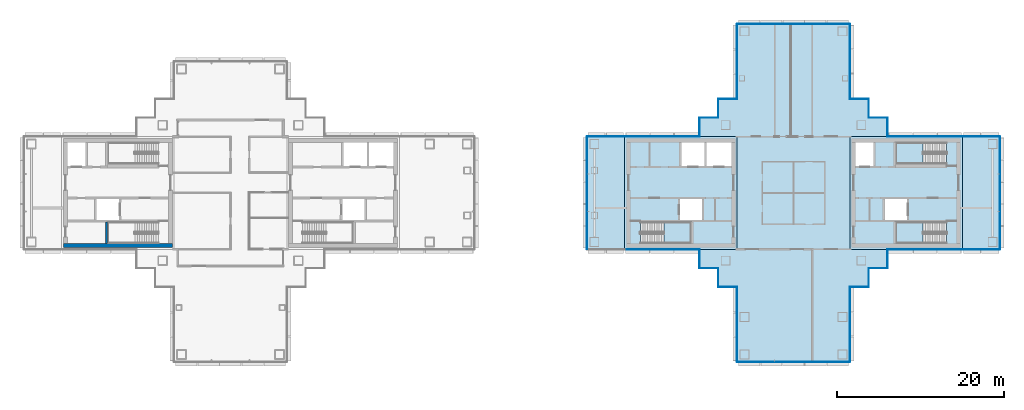
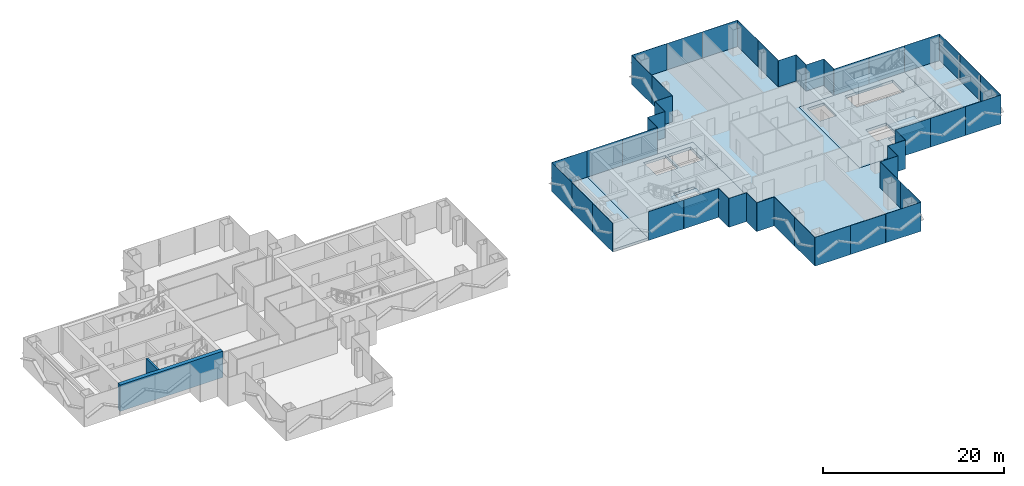
# One storey, part 8 of 16: 47 plates, 8 slabs, 2 walls, 22 elements without a shape of their own.
"""IFC4 building model written with IfcOpenShell, lengths in metres."""

from ifc_helpers import new_model, si_unit, direction, frame, frame_2d, origin, origin_2d, place, context, subcontext, project, spatial, polyline, rectangle, outline, extrude, material, layer, layer_set, type_object, element, aggregate, save


model = new_model("IFC4")

# Units and contexts
model_context = context("Model", 3, precision=1e-05, world=origin(), true_north=direction((0.0, 1.0)))
body_context = subcontext(model_context, "Body", "Model", "MODEL_VIEW")
ifc_project = project(units=[si_unit("LENGTHUNIT", "METRE"), si_unit("AREAUNIT", "SQUARE_METRE"), si_unit("VOLUMEUNIT", "CUBIC_METRE"), si_unit("PLANEANGLEUNIT", "RADIAN"), si_unit("MASSUNIT", "GRAM", prefix="KILO")], contexts=[model_context])

# Site, building, storey
site_placement = place(None, origin())
site = spatial("IfcSite", under=ifc_project, at=site_placement, CompositionType="ELEMENT")
building_placement = place(site_placement, origin())
building = spatial("IfcBuilding", under=site, at=building_placement, Name="Shamsa Quay Exchange Towers", CompositionType="ELEMENT")
storey_placement = place(building_placement, frame((0.0, 0.0, 146.699951171875)))
storey = spatial("IfcBuildingStorey", under=building, at=storey_placement, Name="L34", CompositionType="ELEMENT", Elevation=146.699951171875)

# Slabs
ifc_material_1 = material(Name="Concrete C50/60", Category="concrete")
ifc_layer_1 = layer(ifc_material_1, 0.35009765625)
ifc_layer_set_1 = layer_set([ifc_layer_1], Name="CORE FLOOR 350 C50/60")
slab_type_1 = type_object("IfcSlabType", Name="CORE FLOOR 350 C50/60", PredefinedType="FLOOR", material=ifc_layer_set_1)
slab_1_placement = place(storey_placement, frame((0.0, 0.0, -0.349853515625)))
element("IfcSlab", 1, at=slab_1_placement, inside=storey, type_object=slab_type_1, Name="Core floor T2A", PredefinedType="FLOOR", context=body_context, shape_type="SweptSolid", body=[
    extrude(outline(polyline([(13.5, -6.75), (27.0, -6.75), (27.0, 6.75), (13.5, 6.75), (13.5, -6.75)]), holes=[polyline([(15.400634765625, -6.050048828125), (15.400634765625, -3.5), (21.5, -3.5), (21.5, -6.050048828125), (15.400634765625, -6.050048828125)]), polyline([(20.300048828125, 3.25), (20.300048828125, 6.050048828125), (23.10009765625, 6.050048828125), (23.10009765625, 3.25), (20.300048828125, 3.25)]), polyline([(23.35009765625, 3.25), (23.35009765625, 6.050048828125), (26.300048828125, 6.050048828125), (26.300048828125, 3.25), (23.35009765625, 3.25)]), polyline([(20.14990234375, -3.25), (20.14990234375, -0.75), (22.800048828125, -0.75), (22.800048828125, -3.25), (20.14990234375, -3.25)])]), origin(), (0.0, 0.0, 1.0), 0.349853515625),
])
slab_2_placement = place(storey_placement, frame((0.0, 0.0, -0.349853515625)))
element("IfcSlab", 2, at=slab_2_placement, inside=storey, type_object=slab_type_1, Name="Core floor T2B", PredefinedType="FLOOR", context=body_context, shape_type="SweptSolid", body=[
    extrude(outline(polyline([(54.0, -6.75), (54.0, 6.75), (40.5, 6.75), (40.5, -6.75), (54.0, -6.75)]), holes=[polyline([(52.099365234375, -3.5), (52.099365234375, -6.050048828125), (46.0, -6.050048828125), (46.0, -3.5), (52.099365234375, -3.5)]), polyline([(52.099365234375, 6.050048828125), (52.099365234375, 3.5), (46.0, 3.5), (46.0, 6.050048828125), (52.099365234375, 6.050048828125)]), polyline([(43.35009765625, 3.25), (41.199951171875, 3.25), (41.199951171875, 6.050048828125), (43.35009765625, 6.050048828125), (43.35009765625, 3.25)]), polyline([(47.35009765625, -3.25), (44.699951171875, -3.25), (44.699951171875, -0.75), (47.35009765625, -0.75), (47.35009765625, -3.25)])]), origin(), (0.0, 0.0, 1.0), 0.349853515625),
])

# Stair, slab
ifc_material_2 = material(Name="Concrete C40/50", Category="concrete")
stair_type = type_object("IfcStairType", Name="EXIT STAIR 22 RISERS 177 MM", PredefinedType="HALF_TURN_STAIR", material=ifc_material_2)
stair_1_placement = place(storey_placement, origin())
stair_1 = element("IfcStair", 3, at=stair_1_placement, inside=storey, type_object=stair_type, Name="L34 Exit stair ST4", PredefinedType="HALF_TURN_STAIR")
ifc_layer_2 = layer(ifc_material_2, 0.199951171875)
ifc_layer_set_2 = layer_set([ifc_layer_2], Name="CORE STAIR LANDING")
slab_type_2 = type_object("IfcSlabType", Name="CORE STAIR LANDING", PredefinedType="LANDING", material=ifc_layer_set_2)
slab_3_placement = place(storey_placement, frame((0.0, 0.0, 1.75)))
slab_3 = element("IfcSlab", 4, at=slab_3_placement, type_object=slab_type_2, Name="ST4 landing 1", PredefinedType="LANDING", context=body_context, shape_type="SweptSolid", body=[
    extrude(outline(polyline([(18.199951171875, -6.050048828125), (21.5, -6.050048828125), (21.5, -3.5), (18.199951171875, -3.5), (18.199951171875, -6.050048828125)])), origin(), (0.0, 0.0, 1.0), 0.199951171875),
])
aggregate(stair_1, [slab_3])

stair_2_placement = place(storey_placement, origin())
stair_2 = element("IfcStair", 5, at=stair_2_placement, inside=storey, type_object=stair_type, Name="L34 Exit stair ST5", PredefinedType="HALF_TURN_STAIR")
slab_4_placement = place(storey_placement, frame((0.0, 0.0, 1.75)))
slab_4 = element("IfcSlab", 6, at=slab_4_placement, type_object=slab_type_2, Name="ST5 landing 1", PredefinedType="LANDING", context=body_context, shape_type="SweptSolid", body=[
    extrude(outline(polyline([(49.300048828125, -3.5), (46.0, -3.5), (46.0, -6.050048828125), (49.300048828125, -6.050048828125), (49.300048828125, -3.5)])), origin(), (0.0, 0.0, 1.0), 0.199951171875),
])
aggregate(stair_2, [slab_4])

stair_3_placement = place(storey_placement, origin())
stair_3 = element("IfcStair", 7, at=stair_3_placement, inside=storey, type_object=stair_type, Name="L34 Exit stair ST6", PredefinedType="HALF_TURN_STAIR")
slab_5_placement = place(storey_placement, frame((0.0, 0.0, 1.75)))
slab_5 = element("IfcSlab", 8, at=slab_5_placement, type_object=slab_type_2, Name="ST6 landing 1", PredefinedType="LANDING", context=body_context, shape_type="SweptSolid", body=[
    extrude(outline(polyline([(49.300048828125, 6.050048828125), (46.0, 6.050048828125), (46.0, 3.5), (49.300048828125, 3.5), (49.300048828125, 6.050048828125)])), origin(), (0.0, 0.0, 1.0), 0.199951171875),
])
aggregate(stair_3, [slab_5])

# Curtain wall, plate
ifc_material_3 = material(Name="Aluminium EN AW-6063 T6, black anodised", Category="aluminium")
ifc_layer_3 = layer(ifc_material_3, 0.280029296875)
ifc_layer_set_3 = layer_set([ifc_layer_3], Name="CW-1 UNITISED VISION GLASS")
curtain_wall_type_1 = type_object("IfcCurtainWallType", Name="CW-1 UNITISED VISION GLASS", PredefinedType="NOTDEFINED", material=ifc_layer_set_3)
curtain_wall_1_placement = place(storey_placement, origin())
curtain_wall_1 = element("IfcCurtainWall", 9, at=curtain_wall_1_placement, inside=storey, type_object=curtain_wall_type_1, Name="CW1 T2-FLK-V-W L34", PredefinedType="NOTDEFINED")
ifc_material_4 = material(Name="Glass, laminated, dark tinted", Category="glass")
ifc_layer_4 = layer(ifc_material_4, 0.0400390625)
ifc_layer_set_4 = layer_set([ifc_layer_4], Name="CW-1 VISION GLASS 40")
plate_type_1 = type_object("IfcPlateType", Name="CW-1 VISION GLASS 40", PredefinedType="CURTAIN_PANEL", material=ifc_layer_set_4)
plate_1_placement = place(storey_placement, frame((56.25, -6.77001953125, -0.349853515625)))
plate_1 = element("IfcPlate", 10, at=plate_1_placement, type_object=plate_type_1, Name="CW1 glass panel", PredefinedType="CURTAIN_PANEL", context=body_context, shape_type="SweptSolid", body=[
    extrude(rectangle(XDim=4.5, YDim=0.0400390625, at=origin_2d()), origin(), (0.0, 0.0, 1.0), 3.89990234375),
])
aggregate(curtain_wall_1, [plate_1])

# Curtain wall, plates
curtain_wall_2_placement = place(storey_placement, origin())
curtain_wall_2 = element("IfcCurtainWall", 11, at=curtain_wall_2_placement, inside=storey, type_object=curtain_wall_type_1, Name="CW1 T2-END-V- L34", PredefinedType="NOTDEFINED")
plate_2_placement = place(storey_placement, frame((58.52001953125, -4.50244140625, -0.349853515625), z_axis=(0.0, 0.0, 1.0), x_axis=(0.0, 1.0, 0.0)))
plate_2 = element("IfcPlate", 12, at=plate_2_placement, type_object=plate_type_1, Name="CW1 glass panel", PredefinedType="CURTAIN_PANEL", context=body_context, shape_type="SweptSolid", body=[
    extrude(rectangle(XDim=4.4951171875, YDim=0.0400390625, at=origin_2d()), origin(), (0.0, 0.0, 1.0), 3.89990234375),
])
plate_3_placement = place(storey_placement, frame((58.52001953125, 0.0, -0.349853515625), z_axis=(0.0, 0.0, 1.0), x_axis=(0.0, 1.0, 0.0)))
plate_3 = element("IfcPlate", 13, at=plate_3_placement, type_object=plate_type_1, Name="CW1 glass panel", PredefinedType="CURTAIN_PANEL", context=body_context, shape_type="SweptSolid", body=[
    extrude(rectangle(XDim=4.489990234375, YDim=0.0400390625, at=origin_2d()), origin(), (0.0, 0.0, 1.0), 3.89990234375),
])
plate_4_placement = place(storey_placement, frame((58.52001953125, 4.50244140625, -0.349853515625), z_axis=(0.0, 0.0, 1.0), x_axis=(0.0, 1.0, 0.0)))
plate_4 = element("IfcPlate", 14, at=plate_4_placement, type_object=plate_type_1, Name="CW1 glass panel", PredefinedType="CURTAIN_PANEL", context=body_context, shape_type="SweptSolid", body=[
    extrude(rectangle(XDim=4.4951171875, YDim=0.0400390625, at=origin_2d()), origin(), (0.0, 0.0, 1.0), 3.89990234375),
])
aggregate(curtain_wall_2, [plate_2, plate_3, plate_4])

# Curtain wall, plate
curtain_wall_3_placement = place(storey_placement, origin())
curtain_wall_3 = element("IfcCurtainWall", 15, at=curtain_wall_3_placement, inside=storey, type_object=curtain_wall_type_1, Name="CW1 T2-FLK-V-E L34", PredefinedType="NOTDEFINED")
plate_5_placement = place(storey_placement, frame((56.25, 6.77001953125, -0.349853515625), z_axis=(0.0, 0.0, 1.0), x_axis=(-1.0, 0.0, 0.0)))
plate_5 = element("IfcPlate", 16, at=plate_5_placement, type_object=plate_type_1, Name="CW1 glass panel", PredefinedType="CURTAIN_PANEL", context=body_context, shape_type="SweptSolid", body=[
    extrude(rectangle(XDim=4.5, YDim=0.0400390625, at=origin_2d()), origin(), (0.0, 0.0, 1.0), 3.89990234375),
])
aggregate(curtain_wall_3, [plate_5])

# Curtain wall, plates
curtain_wall_4_placement = place(storey_placement, origin())
curtain_wall_4 = element("IfcCurtainWall", 17, at=curtain_wall_4_placement, inside=storey, type_object=curtain_wall_type_1, Name="CW1 T2-FLK-U+S L34", PredefinedType="NOTDEFINED")
plate_6_placement = place(storey_placement, frame((40.52001953125, 13.52587890625, -0.349853515625), z_axis=(0.0, 0.0, 1.0), x_axis=(0.0, 1.0, 0.0)))
plate_6 = element("IfcPlate", 18, at=plate_6_placement, type_object=plate_type_1, Name="CW1 glass panel", PredefinedType="CURTAIN_PANEL", context=body_context, shape_type="SweptSolid", body=[
    extrude(rectangle(XDim=4.47607421875, YDim=0.0400390625, at=origin_2d()), origin(), (0.0, 0.0, 1.0), 3.89990234375),
])
plate_7_placement = place(storey_placement, frame((40.52001953125, 18.011962890625, -0.349853515625), z_axis=(0.0, 0.0, 1.0), x_axis=(0.0, 1.0, 0.0)))
plate_7 = element("IfcPlate", 19, at=plate_7_placement, type_object=plate_type_1, Name="CW1 glass panel", PredefinedType="CURTAIN_PANEL", context=body_context, shape_type="SweptSolid", body=[
    extrude(rectangle(XDim=4.47607421875, YDim=0.0400390625, at=origin_2d()), origin(), (0.0, 0.0, 1.0), 3.89990234375),
])
aggregate(curtain_wall_4, [plate_6, plate_7])

curtain_wall_5_placement = place(storey_placement, origin())
curtain_wall_5 = element("IfcCurtainWall", 20, at=curtain_wall_5_placement, inside=storey, type_object=curtain_wall_type_1, Name="CW1 T2-END-U+ L34", PredefinedType="NOTDEFINED")
plate_8_placement = place(storey_placement, frame((38.25244140625, 20.27001953125, -0.349853515625), z_axis=(0.0, 0.0, 1.0), x_axis=(-1.0, 0.0, 0.0)))
plate_8 = element("IfcPlate", 21, at=plate_8_placement, type_object=plate_type_1, Name="CW1 glass panel", PredefinedType="CURTAIN_PANEL", context=body_context, shape_type="SweptSolid", body=[
    extrude(rectangle(XDim=4.4951171875, YDim=0.0400390625, at=origin_2d()), origin(), (0.0, 0.0, 1.0), 3.89990234375),
])
plate_9_placement = place(storey_placement, frame((33.75, 20.27001953125, -0.349853515625), z_axis=(0.0, 0.0, 1.0), x_axis=(-1.0, 0.0, 0.0)))
plate_9 = element("IfcPlate", 22, at=plate_9_placement, type_object=plate_type_1, Name="CW1 glass panel", PredefinedType="CURTAIN_PANEL", context=body_context, shape_type="SweptSolid", body=[
    extrude(rectangle(XDim=4.489990234375, YDim=0.0400390625, at=origin_2d()), origin(), (0.0, 0.0, 1.0), 3.89990234375),
])
plate_10_placement = place(storey_placement, frame((29.24755859375, 20.27001953125, -0.349853515625), z_axis=(0.0, 0.0, 1.0), x_axis=(-1.0, 0.0, 0.0)))
plate_10 = element("IfcPlate", 23, at=plate_10_placement, type_object=plate_type_1, Name="CW1 glass panel", PredefinedType="CURTAIN_PANEL", context=body_context, shape_type="SweptSolid", body=[
    extrude(rectangle(XDim=4.4951171875, YDim=0.0400390625, at=origin_2d()), origin(), (0.0, 0.0, 1.0), 3.89990234375),
])
aggregate(curtain_wall_5, [plate_8, plate_9, plate_10])

curtain_wall_6_placement = place(storey_placement, origin())
curtain_wall_6 = element("IfcCurtainWall", 24, at=curtain_wall_6_placement, inside=storey, type_object=curtain_wall_type_1, Name="CW1 T2-FLK-U+N L34", PredefinedType="NOTDEFINED")
plate_11_placement = place(storey_placement, frame((26.97998046875, 18.00244140625, -0.349853515625), z_axis=(0.0, 0.0, 1.0), x_axis=(0.0, -1.0, 0.0)))
plate_11 = element("IfcPlate", 25, at=plate_11_placement, type_object=plate_type_1, Name="CW1 glass panel", PredefinedType="CURTAIN_PANEL", context=body_context, shape_type="SweptSolid", body=[
    extrude(rectangle(XDim=4.4951171875, YDim=0.0400390625, at=origin_2d()), origin(), (0.0, 0.0, 1.0), 3.89990234375),
])
plate_12_placement = place(storey_placement, frame((26.97998046875, 13.49755859375, -0.349853515625), z_axis=(0.0, 0.0, 1.0), x_axis=(0.0, -1.0, 0.0)))
plate_12 = element("IfcPlate", 26, at=plate_12_placement, type_object=plate_type_1, Name="CW1 glass panel", PredefinedType="CURTAIN_PANEL", context=body_context, shape_type="SweptSolid", body=[
    extrude(rectangle(XDim=4.4951171875, YDim=0.0400390625, at=origin_2d()), origin(), (0.0, 0.0, 1.0), 3.89990234375),
])
aggregate(curtain_wall_6, [plate_11, plate_12])

# Curtain wall, plate
curtain_wall_7_placement = place(storey_placement, origin())
curtain_wall_7 = element("IfcCurtainWall", 27, at=curtain_wall_7_placement, inside=storey, type_object=curtain_wall_type_1, Name="CW1 T2-FLK-V+E L34", PredefinedType="NOTDEFINED")
plate_13_placement = place(storey_placement, frame((11.25, 6.77001953125, -0.349853515625), z_axis=(0.0, 0.0, 1.0), x_axis=(-1.0, 0.0, 0.0)))
plate_13 = element("IfcPlate", 28, at=plate_13_placement, type_object=plate_type_1, Name="CW1 glass panel", PredefinedType="CURTAIN_PANEL", context=body_context, shape_type="SweptSolid", body=[
    extrude(rectangle(XDim=4.5, YDim=0.0400390625, at=origin_2d()), origin(), (0.0, 0.0, 1.0), 3.89990234375),
])
aggregate(curtain_wall_7, [plate_13])

# Curtain wall, plates
curtain_wall_8_placement = place(storey_placement, origin())
curtain_wall_8 = element("IfcCurtainWall", 29, at=curtain_wall_8_placement, inside=storey, type_object=curtain_wall_type_1, Name="CW1 T2-END-V+ L34", PredefinedType="NOTDEFINED")
plate_14_placement = place(storey_placement, frame((8.97998046875, 4.50244140625, -0.349853515625), z_axis=(0.0, 0.0, 1.0), x_axis=(0.0, -1.0, 0.0)))
plate_14 = element("IfcPlate", 30, at=plate_14_placement, type_object=plate_type_1, Name="CW1 glass panel", PredefinedType="CURTAIN_PANEL", context=body_context, shape_type="SweptSolid", body=[
    extrude(rectangle(XDim=4.4951171875, YDim=0.0400390625, at=origin_2d()), origin(), (0.0, 0.0, 1.0), 3.89990234375),
])
plate_15_placement = place(storey_placement, frame((8.97998046875, 0.0, -0.349853515625), z_axis=(0.0, 0.0, 1.0), x_axis=(0.0, -1.0, 0.0)))
plate_15 = element("IfcPlate", 31, at=plate_15_placement, type_object=plate_type_1, Name="CW1 glass panel", PredefinedType="CURTAIN_PANEL", context=body_context, shape_type="SweptSolid", body=[
    extrude(rectangle(XDim=4.489990234375, YDim=0.0400390625, at=origin_2d()), origin(), (0.0, 0.0, 1.0), 3.89990234375),
])
plate_16_placement = place(storey_placement, frame((8.97998046875, -4.50244140625, -0.349853515625), z_axis=(0.0, 0.0, 1.0), x_axis=(0.0, -1.0, 0.0)))
plate_16 = element("IfcPlate", 32, at=plate_16_placement, type_object=plate_type_1, Name="CW1 glass panel", PredefinedType="CURTAIN_PANEL", context=body_context, shape_type="SweptSolid", body=[
    extrude(rectangle(XDim=4.4951171875, YDim=0.0400390625, at=origin_2d()), origin(), (0.0, 0.0, 1.0), 3.89990234375),
])
aggregate(curtain_wall_8, [plate_14, plate_15, plate_16])

curtain_wall_9_placement = place(storey_placement, origin())
curtain_wall_9 = element("IfcCurtainWall", 33, at=curtain_wall_9_placement, inside=storey, type_object=curtain_wall_type_1, Name="CW1 T2-FLK-U-N L34", PredefinedType="NOTDEFINED")
plate_17_placement = place(storey_placement, frame((26.97998046875, -13.52587890625, -0.349853515625), z_axis=(0.0, 0.0, 1.0), x_axis=(0.0, -1.0, 0.0)))
plate_17 = element("IfcPlate", 34, at=plate_17_placement, type_object=plate_type_1, Name="CW1 glass panel", PredefinedType="CURTAIN_PANEL", context=body_context, shape_type="SweptSolid", body=[
    extrude(rectangle(XDim=4.47607421875, YDim=0.0400390625, at=origin_2d()), origin(), (0.0, 0.0, 1.0), 3.89990234375),
])
plate_18_placement = place(storey_placement, frame((26.97998046875, -18.011962890625, -0.349853515625), z_axis=(0.0, 0.0, 1.0), x_axis=(0.0, -1.0, 0.0)))
plate_18 = element("IfcPlate", 35, at=plate_18_placement, type_object=plate_type_1, Name="CW1 glass panel", PredefinedType="CURTAIN_PANEL", context=body_context, shape_type="SweptSolid", body=[
    extrude(rectangle(XDim=4.47607421875, YDim=0.0400390625, at=origin_2d()), origin(), (0.0, 0.0, 1.0), 3.89990234375),
])
aggregate(curtain_wall_9, [plate_17, plate_18])

curtain_wall_10_placement = place(storey_placement, origin())
curtain_wall_10 = element("IfcCurtainWall", 36, at=curtain_wall_10_placement, inside=storey, type_object=curtain_wall_type_1, Name="CW1 T2-END-U- L34", PredefinedType="NOTDEFINED")
plate_19_placement = place(storey_placement, frame((29.24755859375, -20.27001953125, -0.349853515625)))
plate_19 = element("IfcPlate", 37, at=plate_19_placement, type_object=plate_type_1, Name="CW1 glass panel", PredefinedType="CURTAIN_PANEL", context=body_context, shape_type="SweptSolid", body=[
    extrude(rectangle(XDim=4.4951171875, YDim=0.0400390625, at=origin_2d()), origin(), (0.0, 0.0, 1.0), 3.89990234375),
])
plate_20_placement = place(storey_placement, frame((33.75, -20.27001953125, -0.349853515625)))
plate_20 = element("IfcPlate", 38, at=plate_20_placement, type_object=plate_type_1, Name="CW1 glass panel", PredefinedType="CURTAIN_PANEL", context=body_context, shape_type="SweptSolid", body=[
    extrude(rectangle(XDim=4.489990234375, YDim=0.0400390625, at=origin_2d()), origin(), (0.0, 0.0, 1.0), 3.89990234375),
])
plate_21_placement = place(storey_placement, frame((38.25244140625, -20.27001953125, -0.349853515625)))
plate_21 = element("IfcPlate", 39, at=plate_21_placement, type_object=plate_type_1, Name="CW1 glass panel", PredefinedType="CURTAIN_PANEL", context=body_context, shape_type="SweptSolid", body=[
    extrude(rectangle(XDim=4.4951171875, YDim=0.0400390625, at=origin_2d()), origin(), (0.0, 0.0, 1.0), 3.89990234375),
])
aggregate(curtain_wall_10, [plate_19, plate_20, plate_21])

curtain_wall_11_placement = place(storey_placement, origin())
curtain_wall_11 = element("IfcCurtainWall", 40, at=curtain_wall_11_placement, inside=storey, type_object=curtain_wall_type_1, Name="CW1 T2-FLK-U-S L34", PredefinedType="NOTDEFINED")
plate_22_placement = place(storey_placement, frame((40.52001953125, -18.00244140625, -0.349853515625), z_axis=(0.0, 0.0, 1.0), x_axis=(0.0, 1.0, 0.0)))
plate_22 = element("IfcPlate", 41, at=plate_22_placement, type_object=plate_type_1, Name="CW1 glass panel", PredefinedType="CURTAIN_PANEL", context=body_context, shape_type="SweptSolid", body=[
    extrude(rectangle(XDim=4.4951171875, YDim=0.0400390625, at=origin_2d()), origin(), (0.0, 0.0, 1.0), 3.89990234375),
])
plate_23_placement = place(storey_placement, frame((40.52001953125, -13.49755859375, -0.349853515625), z_axis=(0.0, 0.0, 1.0), x_axis=(0.0, 1.0, 0.0)))
plate_23 = element("IfcPlate", 42, at=plate_23_placement, type_object=plate_type_1, Name="CW1 glass panel", PredefinedType="CURTAIN_PANEL", context=body_context, shape_type="SweptSolid", body=[
    extrude(rectangle(XDim=4.4951171875, YDim=0.0400390625, at=origin_2d()), origin(), (0.0, 0.0, 1.0), 3.89990234375),
])
aggregate(curtain_wall_11, [plate_22, plate_23])

ifc_layer_5 = layer(ifc_material_3, 0.303955078125)
ifc_layer_set_5 = layer_set([ifc_layer_5], Name="CW-2 UNITISED OPAQUE SPANDREL GLASS")
curtain_wall_type_2 = type_object("IfcCurtainWallType", Name="CW-2 UNITISED OPAQUE SPANDREL GLASS", PredefinedType="NOTDEFINED", material=ifc_layer_set_5)
curtain_wall_12_placement = place(storey_placement, origin())
curtain_wall_12 = element("IfcCurtainWall", 43, at=curtain_wall_12_placement, inside=storey, type_object=curtain_wall_type_2, Name="CW2 T2-FLK-V-W L34", PredefinedType="NOTDEFINED")
ifc_material_5 = material(Name="Glass, laminated, black enamelled opaque", Category="glass")
ifc_layer_6 = layer(ifc_material_5, 0.0439453125)
ifc_layer_set_6 = layer_set([ifc_layer_6], Name="CW-2 SPANDREL GLASS 44")
plate_type_2 = type_object("IfcPlateType", Name="CW-2 SPANDREL GLASS 44", PredefinedType="CURTAIN_PANEL", material=ifc_layer_set_6)
plate_24_placement = place(storey_placement, frame((47.27587890625, -6.77197265625, -0.349853515625)))
plate_24 = element("IfcPlate", 44, at=plate_24_placement, type_object=plate_type_2, Name="CW2 glass panel", PredefinedType="CURTAIN_PANEL", context=body_context, shape_type="SweptSolid", body=[
    extrude(rectangle(XDim=4.47607421875, YDim=0.0439453125, at=origin_2d()), origin(), (0.0, 0.0, 1.0), 3.89990234375),
])
plate_25_placement = place(storey_placement, frame((51.761962890625, -6.77197265625, -0.349853515625)))
plate_25 = element("IfcPlate", 45, at=plate_25_placement, type_object=plate_type_2, Name="CW2 glass panel", PredefinedType="CURTAIN_PANEL", context=body_context, shape_type="SweptSolid", body=[
    extrude(rectangle(XDim=4.47607421875, YDim=0.0439453125, at=origin_2d()), origin(), (0.0, 0.0, 1.0), 3.89990234375),
])
aggregate(curtain_wall_12, [plate_24, plate_25])

curtain_wall_13_placement = place(storey_placement, origin())
curtain_wall_13 = element("IfcCurtainWall", 46, at=curtain_wall_13_placement, inside=storey, type_object=curtain_wall_type_2, Name="CW2 T2-FLK-V-E L34", PredefinedType="NOTDEFINED")
plate_26_placement = place(storey_placement, frame((51.75244140625, 6.77197265625, -0.349853515625), z_axis=(0.0, 0.0, 1.0), x_axis=(-1.0, 0.0, 0.0)))
plate_26 = element("IfcPlate", 47, at=plate_26_placement, type_object=plate_type_2, Name="CW2 glass panel", PredefinedType="CURTAIN_PANEL", context=body_context, shape_type="SweptSolid", body=[
    extrude(rectangle(XDim=4.4951171875, YDim=0.0439453125, at=origin_2d()), origin(), (0.0, 0.0, 1.0), 3.89990234375),
])
plate_27_placement = place(storey_placement, frame((47.24755859375, 6.77197265625, -0.349853515625), z_axis=(0.0, 0.0, 1.0), x_axis=(-1.0, 0.0, 0.0)))
plate_27 = element("IfcPlate", 48, at=plate_27_placement, type_object=plate_type_2, Name="CW2 glass panel", PredefinedType="CURTAIN_PANEL", context=body_context, shape_type="SweptSolid", body=[
    extrude(rectangle(XDim=4.4951171875, YDim=0.0439453125, at=origin_2d()), origin(), (0.0, 0.0, 1.0), 3.89990234375),
])
aggregate(curtain_wall_13, [plate_26, plate_27])

curtain_wall_14_placement = place(storey_placement, origin())
curtain_wall_14 = element("IfcCurtainWall", 49, at=curtain_wall_14_placement, inside=storey, type_object=curtain_wall_type_2, Name="CW2 T2-FLK-V+E L34", PredefinedType="NOTDEFINED")
plate_28_placement = place(storey_placement, frame((20.22412109375, 6.77197265625, -0.349853515625), z_axis=(0.0, 0.0, 1.0), x_axis=(-1.0, 0.0, 0.0)))
plate_28 = element("IfcPlate", 50, at=plate_28_placement, type_object=plate_type_2, Name="CW2 glass panel", PredefinedType="CURTAIN_PANEL", context=body_context, shape_type="SweptSolid", body=[
    extrude(rectangle(XDim=4.47607421875, YDim=0.0439453125, at=origin_2d()), origin(), (0.0, 0.0, 1.0), 3.89990234375),
])
plate_29_placement = place(storey_placement, frame((15.738037109375, 6.77197265625, -0.349853515625), z_axis=(0.0, 0.0, 1.0), x_axis=(-1.0, 0.0, 0.0)))
plate_29 = element("IfcPlate", 51, at=plate_29_placement, type_object=plate_type_2, Name="CW2 glass panel", PredefinedType="CURTAIN_PANEL", context=body_context, shape_type="SweptSolid", body=[
    extrude(rectangle(XDim=4.47607421875, YDim=0.0439453125, at=origin_2d()), origin(), (0.0, 0.0, 1.0), 3.89990234375),
])
aggregate(curtain_wall_14, [plate_28, plate_29])

curtain_wall_15_placement = place(storey_placement, origin())
curtain_wall_15 = element("IfcCurtainWall", 52, at=curtain_wall_15_placement, inside=storey, type_object=curtain_wall_type_2, Name="CW2 T2-FLK-V+W L34", PredefinedType="NOTDEFINED")
plate_30_placement = place(storey_placement, frame((15.74755859375, -6.77197265625, -0.349853515625)))
plate_30 = element("IfcPlate", 53, at=plate_30_placement, type_object=plate_type_2, Name="CW2 glass panel", PredefinedType="CURTAIN_PANEL", context=body_context, shape_type="SweptSolid", body=[
    extrude(rectangle(XDim=4.4951171875, YDim=0.0439453125, at=origin_2d()), origin(), (0.0, 0.0, 1.0), 3.89990234375),
])
plate_31_placement = place(storey_placement, frame((20.25244140625, -6.77197265625, -0.349853515625)))
plate_31 = element("IfcPlate", 54, at=plate_31_placement, type_object=plate_type_2, Name="CW2 glass panel", PredefinedType="CURTAIN_PANEL", context=body_context, shape_type="SweptSolid", body=[
    extrude(rectangle(XDim=4.4951171875, YDim=0.0439453125, at=origin_2d()), origin(), (0.0, 0.0, 1.0), 3.89990234375),
])
aggregate(curtain_wall_15, [plate_30, plate_31])

ifc_layer_7 = layer(ifc_material_3, 0.256103515625)
ifc_layer_set_7 = layer_set([ifc_layer_7], Name="CW-4 POCKET SERRATED GLAZING")
curtain_wall_type_3 = type_object("IfcCurtainWallType", Name="CW-4 POCKET SERRATED GLAZING", PredefinedType="NOTDEFINED", material=ifc_layer_set_7)
curtain_wall_16_placement = place(storey_placement, origin())
curtain_wall_16 = element("IfcCurtainWall", 55, at=curtain_wall_16_placement, inside=storey, type_object=curtain_wall_type_3, Name="CW4 PKWS L34", PredefinedType="NOTDEFINED")
ifc_layer_8 = layer(ifc_material_4, 0.035888671875)
ifc_layer_set_8 = layer_set([ifc_layer_8], Name="CW-4 POCKET GLASS 36")
plate_type_3 = type_object("IfcPlateType", Name="CW-4 POCKET GLASS 36", PredefinedType="CURTAIN_PANEL", material=ifc_layer_set_8)
plate_32_placement = place(storey_placement, frame((43.89404296875, -9.01806640625, -0.349853515625)))
plate_32 = element("IfcPlate", 56, at=plate_32_placement, type_object=plate_type_3, Name="CW4 glass panel", PredefinedType="CURTAIN_PANEL", context=body_context, shape_type="SweptSolid", body=[
    extrude(rectangle(XDim=2.2119140625, YDim=0.035888671875, at=origin_2d()), origin(), (0.0, 0.0, 1.0), 3.89990234375),
])
plate_33_placement = place(storey_placement, frame((45.01806640625, -7.875, -0.349853515625), z_axis=(0.0, 0.0, 1.0), x_axis=(0.0, 1.0, 0.0)))
plate_33 = element("IfcPlate", 57, at=plate_33_placement, type_object=plate_type_3, Name="CW4 glass panel", PredefinedType="CURTAIN_PANEL", context=body_context, shape_type="SweptSolid", body=[
    extrude(rectangle(XDim=2.25, YDim=0.035888671875, at=origin_2d()), origin(), (0.0, 0.0, 1.0), 3.89990234375),
])
plate_34_placement = place(storey_placement, frame((41.64599609375, -11.26806640625, -0.349853515625)))
plate_34 = element("IfcPlate", 58, at=plate_34_placement, type_object=plate_type_3, Name="CW4 glass panel", PredefinedType="CURTAIN_PANEL", context=body_context, shape_type="SweptSolid", body=[
    extrude(rectangle(XDim=2.2080078125, YDim=0.035888671875, at=origin_2d()), origin(), (0.0, 0.0, 1.0), 3.89990234375),
])
plate_35_placement = place(storey_placement, frame((42.76806640625, -10.125, -0.349853515625), z_axis=(0.0, 0.0, 1.0), x_axis=(0.0, 1.0, 0.0)))
plate_35 = element("IfcPlate", 59, at=plate_35_placement, type_object=plate_type_3, Name="CW4 glass panel", PredefinedType="CURTAIN_PANEL", context=body_context, shape_type="SweptSolid", body=[
    extrude(rectangle(XDim=2.25, YDim=0.035888671875, at=origin_2d()), origin(), (0.0, 0.0, 1.0), 3.89990234375),
])
aggregate(curtain_wall_16, [plate_32, plate_33, plate_34, plate_35])

curtain_wall_17_placement = place(storey_placement, origin())
curtain_wall_17 = element("IfcCurtainWall", 60, at=curtain_wall_17_placement, inside=storey, type_object=curtain_wall_type_3, Name="CW4 PKES L34", PredefinedType="NOTDEFINED")
plate_36_placement = place(storey_placement, frame((45.01806640625, 7.89794921875, -0.349853515625), z_axis=(0.0, 0.0, 1.0), x_axis=(0.0, 1.0, 0.0)))
plate_36 = element("IfcPlate", 61, at=plate_36_placement, type_object=plate_type_3, Name="CW4 glass panel", PredefinedType="CURTAIN_PANEL", context=body_context, shape_type="SweptSolid", body=[
    extrude(rectangle(XDim=2.2041015625, YDim=0.035888671875, at=origin_2d()), origin(), (0.0, 0.0, 1.0), 3.89990234375),
])
plate_37_placement = place(storey_placement, frame((43.875, 9.01806640625, -0.349853515625), z_axis=(0.0, 0.0, 1.0), x_axis=(-1.0, 0.0, 0.0)))
plate_37 = element("IfcPlate", 62, at=plate_37_placement, type_object=plate_type_3, Name="CW4 glass panel", PredefinedType="CURTAIN_PANEL", context=body_context, shape_type="SweptSolid", body=[
    extrude(rectangle(XDim=2.25, YDim=0.035888671875, at=origin_2d()), origin(), (0.0, 0.0, 1.0), 3.89990234375),
])
plate_38_placement = place(storey_placement, frame((42.76806640625, 10.14404296875, -0.349853515625), z_axis=(0.0, 0.0, 1.0), x_axis=(0.0, 1.0, 0.0)))
plate_38 = element("IfcPlate", 63, at=plate_38_placement, type_object=plate_type_3, Name="CW4 glass panel", PredefinedType="CURTAIN_PANEL", context=body_context, shape_type="SweptSolid", body=[
    extrude(rectangle(XDim=2.2119140625, YDim=0.035888671875, at=origin_2d()), origin(), (0.0, 0.0, 1.0), 3.89990234375),
])
plate_39_placement = place(storey_placement, frame((41.625, 11.26806640625, -0.349853515625), z_axis=(0.0, 0.0, 1.0), x_axis=(-1.0, 0.0, 0.0)))
plate_39 = element("IfcPlate", 64, at=plate_39_placement, type_object=plate_type_3, Name="CW4 glass panel", PredefinedType="CURTAIN_PANEL", context=body_context, shape_type="SweptSolid", body=[
    extrude(rectangle(XDim=2.25, YDim=0.035888671875, at=origin_2d()), origin(), (0.0, 0.0, 1.0), 3.89990234375),
])
aggregate(curtain_wall_17, [plate_36, plate_37, plate_38, plate_39])

curtain_wall_18_placement = place(storey_placement, origin())
curtain_wall_18 = element("IfcCurtainWall", 65, at=curtain_wall_18_placement, inside=storey, type_object=curtain_wall_type_3, Name="CW4 PKEN L34", PredefinedType="NOTDEFINED")
plate_40_placement = place(storey_placement, frame((25.85400390625, 11.26806640625, -0.349853515625), z_axis=(0.0, 0.0, 1.0), x_axis=(-1.0, 0.0, 0.0)))
plate_40 = element("IfcPlate", 66, at=plate_40_placement, type_object=plate_type_3, Name="CW4 glass panel", PredefinedType="CURTAIN_PANEL", context=body_context, shape_type="SweptSolid", body=[
    extrude(rectangle(XDim=2.2080078125, YDim=0.035888671875, at=origin_2d()), origin(), (0.0, 0.0, 1.0), 3.89990234375),
])
plate_41_placement = place(storey_placement, frame((24.73193359375, 10.125, -0.349853515625), z_axis=(0.0, 0.0, 1.0), x_axis=(0.0, -1.0, 0.0)))
plate_41 = element("IfcPlate", 67, at=plate_41_placement, type_object=plate_type_3, Name="CW4 glass panel", PredefinedType="CURTAIN_PANEL", context=body_context, shape_type="SweptSolid", body=[
    extrude(rectangle(XDim=2.25, YDim=0.035888671875, at=origin_2d()), origin(), (0.0, 0.0, 1.0), 3.89990234375),
])
plate_42_placement = place(storey_placement, frame((23.60595703125, 9.01806640625, -0.349853515625), z_axis=(0.0, 0.0, 1.0), x_axis=(-1.0, 0.0, 0.0)))
plate_42 = element("IfcPlate", 68, at=plate_42_placement, type_object=plate_type_3, Name="CW4 glass panel", PredefinedType="CURTAIN_PANEL", context=body_context, shape_type="SweptSolid", body=[
    extrude(rectangle(XDim=2.2119140625, YDim=0.035888671875, at=origin_2d()), origin(), (0.0, 0.0, 1.0), 3.89990234375),
])
plate_43_placement = place(storey_placement, frame((22.48193359375, 7.875, -0.349853515625), z_axis=(0.0, 0.0, 1.0), x_axis=(0.0, -1.0, 0.0)))
plate_43 = element("IfcPlate", 69, at=plate_43_placement, type_object=plate_type_3, Name="CW4 glass panel", PredefinedType="CURTAIN_PANEL", context=body_context, shape_type="SweptSolid", body=[
    extrude(rectangle(XDim=2.25, YDim=0.035888671875, at=origin_2d()), origin(), (0.0, 0.0, 1.0), 3.89990234375),
])
aggregate(curtain_wall_18, [plate_40, plate_41, plate_42, plate_43])

curtain_wall_19_placement = place(storey_placement, origin())
curtain_wall_19 = element("IfcCurtainWall", 70, at=curtain_wall_19_placement, inside=storey, type_object=curtain_wall_type_3, Name="CW4 PKWN L34", PredefinedType="NOTDEFINED")
plate_44_placement = place(storey_placement, frame((22.48193359375, -7.89794921875, -0.349853515625), z_axis=(0.0, 0.0, 1.0), x_axis=(0.0, -1.0, 0.0)))
plate_44 = element("IfcPlate", 71, at=plate_44_placement, type_object=plate_type_3, Name="CW4 glass panel", PredefinedType="CURTAIN_PANEL", context=body_context, shape_type="SweptSolid", body=[
    extrude(rectangle(XDim=2.2041015625, YDim=0.035888671875, at=origin_2d()), origin(), (0.0, 0.0, 1.0), 3.89990234375),
])
plate_45_placement = place(storey_placement, frame((23.625, -9.01806640625, -0.349853515625)))
plate_45 = element("IfcPlate", 72, at=plate_45_placement, type_object=plate_type_3, Name="CW4 glass panel", PredefinedType="CURTAIN_PANEL", context=body_context, shape_type="SweptSolid", body=[
    extrude(rectangle(XDim=2.25, YDim=0.035888671875, at=origin_2d()), origin(), (0.0, 0.0, 1.0), 3.89990234375),
])
plate_46_placement = place(storey_placement, frame((24.73193359375, -10.14404296875, -0.349853515625), z_axis=(0.0, 0.0, 1.0), x_axis=(0.0, -1.0, 0.0)))
plate_46 = element("IfcPlate", 73, at=plate_46_placement, type_object=plate_type_3, Name="CW4 glass panel", PredefinedType="CURTAIN_PANEL", context=body_context, shape_type="SweptSolid", body=[
    extrude(rectangle(XDim=2.2119140625, YDim=0.035888671875, at=origin_2d()), origin(), (0.0, 0.0, 1.0), 3.89990234375),
])
plate_47_placement = place(storey_placement, frame((25.875, -11.26806640625, -0.349853515625)))
plate_47 = element("IfcPlate", 74, at=plate_47_placement, type_object=plate_type_3, Name="CW4 glass panel", PredefinedType="CURTAIN_PANEL", context=body_context, shape_type="SweptSolid", body=[
    extrude(rectangle(XDim=2.25, YDim=0.035888671875, at=origin_2d()), origin(), (0.0, 0.0, 1.0), 3.89990234375),
])
aggregate(curtain_wall_19, [plate_44, plate_45, plate_46, plate_47])

# Slabs
ifc_layer_9 = layer(ifc_material_2, 0.35009765625)
ifc_layer_set_9 = layer_set([ifc_layer_9], Name="Flat slab 350")
slab_type_3 = type_object("IfcSlabType", Name="Flat slab 350", PredefinedType="FLOOR", material=ifc_layer_set_9)
slab_6_placement = place(storey_placement, frame((0.0, 0.0, -0.349853515625)))
element("IfcSlab", 75, at=slab_6_placement, inside=storey, type_object=slab_type_3, Name="Flat slab T2 L34 4", PredefinedType="FLOOR", context=body_context, shape_type="SweptSolid", body=[
    extrude(outline(polyline([(9.0, -6.75), (13.5, -6.75), (13.5, 6.75), (9.0, 6.75), (9.0, -6.75)])), origin(), (0.0, 0.0, 1.0), 0.349853515625),
])
slab_7_placement = place(storey_placement, frame((0.0, 0.0, -0.349853515625)))
element("IfcSlab", 76, at=slab_7_placement, inside=storey, type_object=slab_type_3, Name="Flat slab T2 L34 5", PredefinedType="FLOOR", context=body_context, shape_type="SweptSolid", body=[
    extrude(outline(polyline([(45.0, -9.0), (45.0, -6.75), (40.5, -6.75), (40.5, 6.75), (45.0, 6.75), (45.0, 9.0), (42.75, 9.0), (42.75, 11.25), (40.5, 11.25), (40.5, 20.25), (27.0, 20.25), (27.0, 11.25), (24.75, 11.25), (24.75, 9.0), (22.5, 9.0), (22.5, 6.75), (27.0, 6.75), (27.0, -6.75), (22.5, -6.75), (22.5, -9.0), (24.75, -9.0), (24.75, -11.25), (27.0, -11.25), (27.0, -20.25), (40.5, -20.25), (40.5, -11.25), (42.75, -11.25), (42.75, -9.0), (45.0, -9.0)])), origin(), (0.0, 0.0, 1.0), 0.349853515625),
])
slab_8_placement = place(storey_placement, frame((0.0, 0.0, -0.349853515625)))
element("IfcSlab", 77, at=slab_8_placement, inside=storey, type_object=slab_type_3, Name="Flat slab T2 L34 6", PredefinedType="FLOOR", context=body_context, shape_type="SweptSolid", body=[
    extrude(outline(polyline([(58.5, 6.75), (54.0, 6.75), (54.0, -6.75), (58.5, -6.75), (58.5, 6.75)])), origin(), (0.0, 0.0, 1.0), 0.349853515625),
])

# Walls
ifc_material_6 = material(Name="Concrete C60/75", Category="concrete")
ifc_layer_10 = layer(ifc_material_6, 0.5)
ifc_layer_set_10 = layer_set([ifc_layer_10], Name="CORE WALL 500 C60/75")
wall_type_1 = type_object("IfcWallType", Name="CORE WALL 500 C60/75", PredefinedType="SHEAR", material=ifc_layer_set_10)
wall_1_placement = place(storey_placement, frame((-40.699951171875, -6.300048828125, 0.0), z_axis=(0.0, 0.0, 1.0), x_axis=(-1.0, 0.0, 0.0)))
element("IfcWall", 78, at=wall_1_placement, inside=storey, type_object=wall_type_1, Name="Core wall T1B-R16-PS", PredefinedType="SHEAR", context=body_context, shape_type="SweptSolid", body=[
    extrude(rectangle(XDim=13.10009765625, YDim=0.5, at=frame_2d((6.550048828125, 0.0))), origin(), (0.0, 0.0, 1.0), 3.550048828125),
])
ifc_layer_11 = layer(ifc_material_1, 0.25)
ifc_layer_set_11 = layer_set([ifc_layer_11], Name="SHAFT WALL 250 C50/60")
wall_type_2 = type_object("IfcWallType", Name="SHAFT WALL 250 C50/60", PredefinedType="SHEAR", material=ifc_layer_set_11)
wall_2_placement = place(storey_placement, frame((-48.625, -6.050048828125, 0.0), z_axis=(0.0, 0.0, 1.0), x_axis=(0.0, 1.0, 0.0)))
element("IfcWall", 79, at=wall_2_placement, inside=storey, type_object=wall_type_2, Name="Shaft wall T1B-R16-STF", PredefinedType="SHEAR", context=body_context, shape_type="SweptSolid", body=[
    extrude(rectangle(XDim=2.550048828125, YDim=0.25, at=frame_2d((1.27490234375, 0.0))), origin(), (0.0, 0.0, 1.0), 3.550048828125),
])

save(model, "model.ifc")
